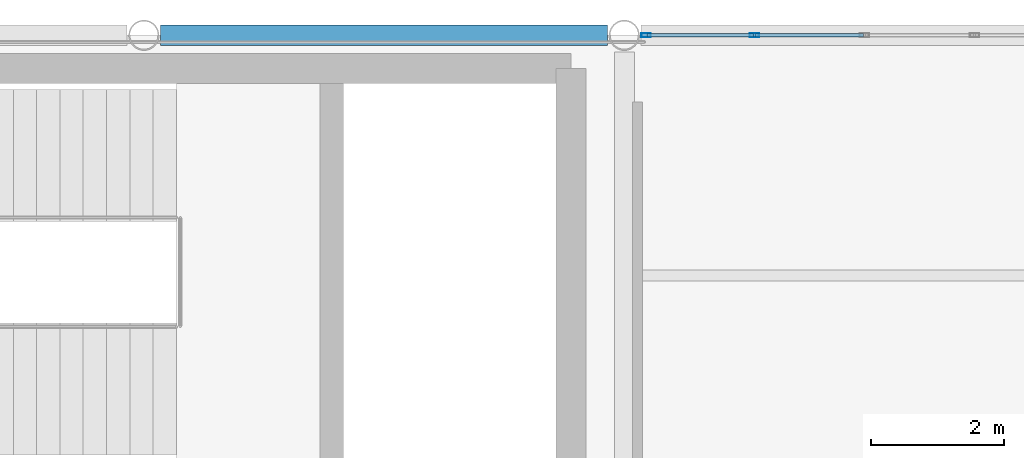
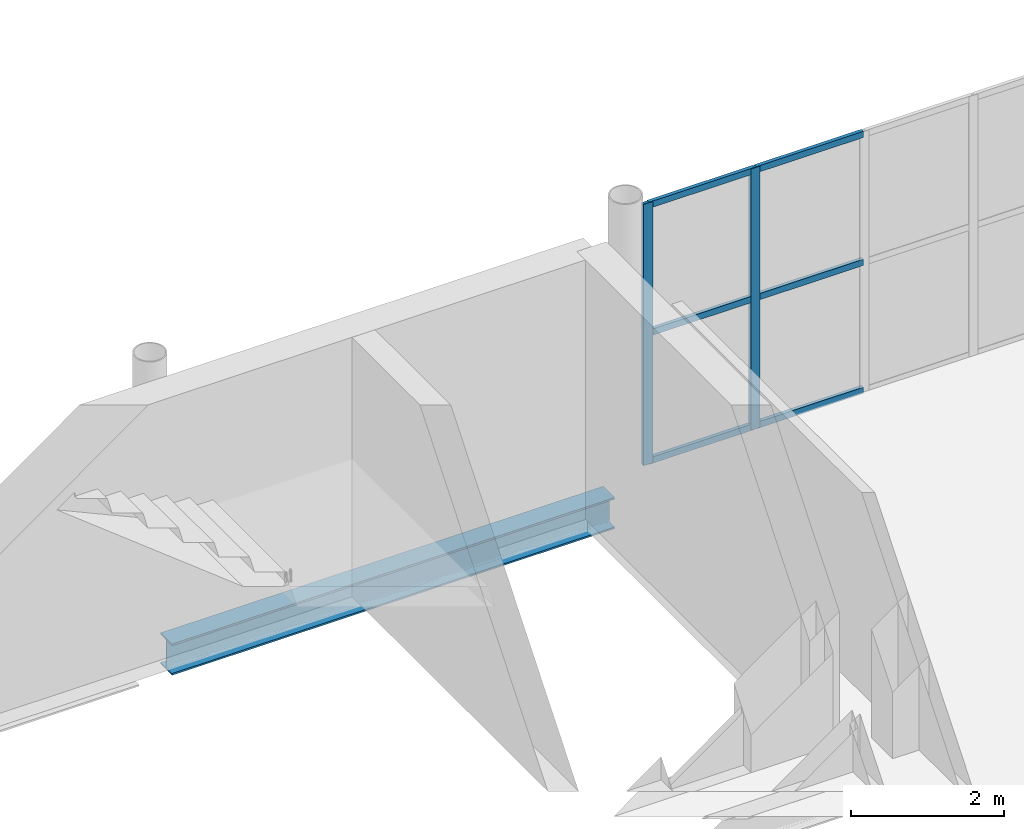
# One storey, part 48 of 81: 8 members, 1 beam, 1 element without a shape of its own.
"""IFC4 building model written with IfcOpenShell, lengths in metres."""

from ifc_helpers import new_model, si_unit, direction, frame, origin, origin_2d, place, context, subcontext, project, spatial, hollow_rectangle, i_section, extrude, material, material_profile, profile_set, type_object, element, aggregate, save


model = new_model("IFC4")

# Units and contexts
model_context = context("Model", 3, precision=1e-05, world=origin(), true_north=direction((0.0, 1.0)))
body_context = subcontext(model_context, "Body", "Model", "MODEL_VIEW")
ifc_project = project(units=[si_unit("LENGTHUNIT", "METRE"), si_unit("AREAUNIT", "SQUARE_METRE"), si_unit("VOLUMEUNIT", "CUBIC_METRE"), si_unit("PLANEANGLEUNIT", "RADIAN"), si_unit("MASSUNIT", "GRAM", prefix="KILO")], contexts=[model_context])

# Site, building, storey
site_placement = place(None, origin())
site = spatial("IfcSite", under=ifc_project, at=site_placement, CompositionType="ELEMENT")
building_placement = place(site_placement, origin())
building = spatial("IfcBuilding", under=site, at=building_placement, Name="Qandorah Velis Arena", CompositionType="ELEMENT")
storey_placement = place(building_placement, frame((0.0, 0.0, 18.60009765625)))
storey = spatial("IfcBuildingStorey", under=building, at=storey_placement, Name="L04", CompositionType="ELEMENT", Elevation=18.60009765625)

# Curtain wall, members
ifc_material_1 = material(Name="Solar-control low-E double glazing", Category="glass")
curtain_wall_type = type_object("IfcCurtainWallType", Name="ARC-CW-SYS24", PredefinedType="USERDEFINED", material=ifc_material_1)
curtain_wall_placement = place(storey_placement, origin())
curtain_wall = element("IfcCurtainWall", 1, at=curtain_wall_placement, inside=storey, type_object=curtain_wall_type, Name="Unitised curtain wall L04-096", ObjectType="UNITISED CURTAIN WALL", PredefinedType="USERDEFINED")
ifc_material_2 = material(Name="Champagne-bronze anodized aluminium 6063-T6", Category="aluminium")
ifc_material_profile_1 = material_profile(ifc_material_2, hollow_rectangle(XDim=0.054931640625, YDim=0.139892578125, WallThickness=0.0029296875, at=origin_2d()), Name="ALU MULLION 55x140")
ifc_profile_set_1 = profile_set([ifc_material_profile_1], Name="Champagne-bronze anodized aluminium 6063-T6")
member_type_1 = type_object("IfcMemberType", Name="ARC-CWM-140", PredefinedType="MULLION", material=ifc_profile_set_1)
member_1_placement = place(storey_placement, frame((86.7275390625, 129.60009765625, -0.01513671875), z_axis=(0.0, 0.0, 1.0), x_axis=(0.0, 1.0, 0.0)))
member_1 = element("IfcMember", 2, at=member_1_placement, type_object=member_type_1, Name="CW24 mullion 1", PredefinedType="MULLION", context=body_context, shape_type="SweptSolid", body=[
    extrude(hollow_rectangle(XDim=0.054931640625, YDim=0.139892578125, WallThickness=0.0029296875, at=origin_2d()), origin(), (0.0, 0.0, 1.0), 4.179931640625),
])
member_2_placement = place(storey_placement, frame((88.35009765625, 129.60009765625, -0.01513671875), z_axis=(0.0, 0.0, 1.0), x_axis=(0.0, 1.0, 0.0)))
member_2 = element("IfcMember", 3, at=member_2_placement, type_object=member_type_1, Name="CW24 mullion 2", PredefinedType="MULLION", context=body_context, shape_type="SweptSolid", body=[
    extrude(hollow_rectangle(XDim=0.054931640625, YDim=0.139892578125, WallThickness=0.0029296875, at=origin_2d()), origin(), (0.0, 0.0, 1.0), 4.179931640625),
])
ifc_material_profile_2 = material_profile(ifc_material_2, hollow_rectangle(XDim=0.054931640625, YDim=0.10009765625, WallThickness=0.0029296875, at=origin_2d()), Name="ALU TRANSOM 55x100")
ifc_profile_set_2 = profile_set([ifc_material_profile_2], Name="Champagne-bronze anodized aluminium 6063-T6")
member_type_2 = type_object("IfcMemberType", Name="ARC-CWT-100", PredefinedType="USERDEFINED", material=ifc_profile_set_2)
member_3_placement = place(storey_placement, frame((86.742919921875, 129.60009765625, 0.02734375), z_axis=(1.0, 0.0, 0.0), x_axis=(0.0, 1.0, 0.0)))
member_3 = element("IfcMember", 4, at=member_3_placement, type_object=member_type_2, Name="CW24 transom 1.1", ObjectType="TRANSOM", PredefinedType="USERDEFINED", context=body_context, shape_type="SweptSolid", body=[
    extrude(hollow_rectangle(XDim=0.054931640625, YDim=0.10009765625, WallThickness=0.0029296875, at=origin_2d()), origin(), (0.0, 0.0, 1.0), 1.591552734375),
])
member_4_placement = place(storey_placement, frame((86.742919921875, 129.60009765625, 2.074951171875), z_axis=(1.0, 0.0, 0.0), x_axis=(0.0, 1.0, 0.0)))
member_4 = element("IfcMember", 5, at=member_4_placement, type_object=member_type_2, Name="CW24 transom 1.2", ObjectType="TRANSOM", PredefinedType="USERDEFINED", context=body_context, shape_type="SweptSolid", body=[
    extrude(hollow_rectangle(XDim=0.054931640625, YDim=0.10009765625, WallThickness=0.0029296875, at=origin_2d()), origin(), (0.0, 0.0, 1.0), 1.591552734375),
])
member_5_placement = place(storey_placement, frame((86.742919921875, 129.60009765625, 4.122314453125), z_axis=(1.0, 0.0, 0.0), x_axis=(0.0, 1.0, 0.0)))
member_5 = element("IfcMember", 6, at=member_5_placement, type_object=member_type_2, Name="CW24 transom 1.3", ObjectType="TRANSOM", PredefinedType="USERDEFINED", context=body_context, shape_type="SweptSolid", body=[
    extrude(hollow_rectangle(XDim=0.054931640625, YDim=0.10009765625, WallThickness=0.0029296875, at=origin_2d()), origin(), (0.0, 0.0, 1.0), 1.591552734375),
])
member_6_placement = place(storey_placement, frame((88.365478515625, 129.60009765625, 0.02734375), z_axis=(1.0, 0.0, 0.0), x_axis=(0.0, 1.0, 0.0)))
member_6 = element("IfcMember", 7, at=member_6_placement, type_object=member_type_2, Name="CW24 transom 2.1", ObjectType="TRANSOM", PredefinedType="USERDEFINED", context=body_context, shape_type="SweptSolid", body=[
    extrude(hollow_rectangle(XDim=0.054931640625, YDim=0.10009765625, WallThickness=0.0029296875, at=origin_2d()), origin(), (0.0, 0.0, 1.0), 1.619140625),
])
member_7_placement = place(storey_placement, frame((88.365478515625, 129.60009765625, 2.074951171875), z_axis=(1.0, 0.0, 0.0), x_axis=(0.0, 1.0, 0.0)))
member_7 = element("IfcMember", 8, at=member_7_placement, type_object=member_type_2, Name="CW24 transom 2.2", ObjectType="TRANSOM", PredefinedType="USERDEFINED", context=body_context, shape_type="SweptSolid", body=[
    extrude(hollow_rectangle(XDim=0.054931640625, YDim=0.10009765625, WallThickness=0.0029296875, at=origin_2d()), origin(), (0.0, 0.0, 1.0), 1.619140625),
])
member_8_placement = place(storey_placement, frame((88.365478515625, 129.60009765625, 4.122314453125), z_axis=(1.0, 0.0, 0.0), x_axis=(0.0, 1.0, 0.0)))
member_8 = element("IfcMember", 9, at=member_8_placement, type_object=member_type_2, Name="CW24 transom 2.3", ObjectType="TRANSOM", PredefinedType="USERDEFINED", context=body_context, shape_type="SweptSolid", body=[
    extrude(hollow_rectangle(XDim=0.054931640625, YDim=0.10009765625, WallThickness=0.0029296875, at=origin_2d()), origin(), (0.0, 0.0, 1.0), 1.619140625),
])
aggregate(curtain_wall, [member_1, member_2, member_3, member_4, member_5, member_6, member_7, member_8])

# Beam
ifc_material_3 = material(Name="Steel S355", Category="steel")
ifc_material_profile_3 = material_profile(ifc_material_3, i_section(OverallWidth=0.300048828125, OverallDepth=0.5, WebThickness=0.014404296875, FlangeThickness=0.028076171875, FilletRadius=0.027099609375, at=origin_2d()), Name="HEB 500")
ifc_profile_set_3 = profile_set([ifc_material_profile_3], Name="Steel S355")
beam_type = type_object("IfcBeamType", Name="STR-BM-HEB500", PredefinedType="BEAM", material=ifc_profile_set_3)
beam_placement = place(storey_placement, frame((79.449951171875, 129.60009765625, -0.52001953125), z_axis=(1.0, 0.0, 0.0), x_axis=(0.0, 1.0, 0.0)))
element("IfcBeam", 10, at=beam_placement, inside=storey, type_object=beam_type, Name="Primary floor girder L04 X-141", PredefinedType="BEAM", context=body_context, shape_type="SweptSolid", body=[
    extrude(i_section(OverallWidth=0.300048828125, OverallDepth=0.5, WebThickness=0.014404296875, FlangeThickness=0.028076171875, FilletRadius=0.027099609375, at=origin_2d()), origin(), (0.0, 0.0, 1.0), 6.699951171875),
])

save(model, "model.ifc")
